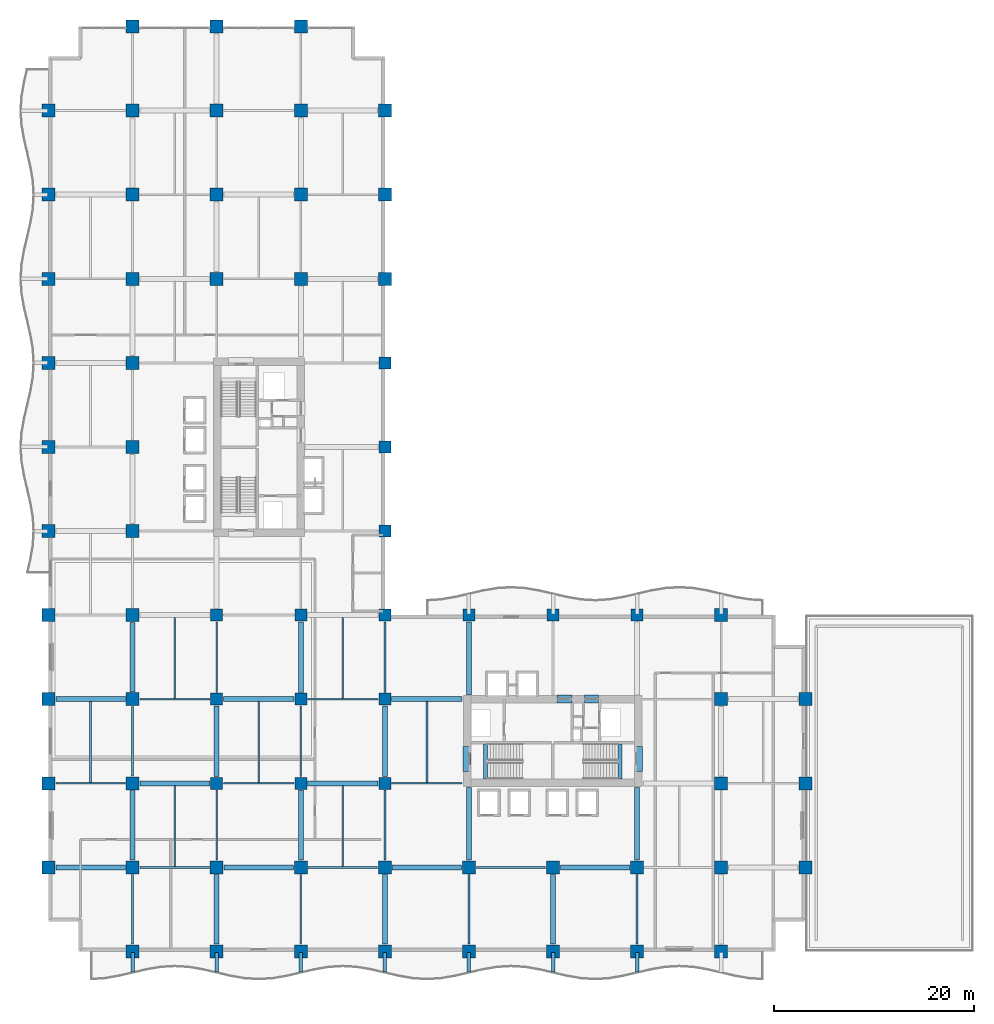
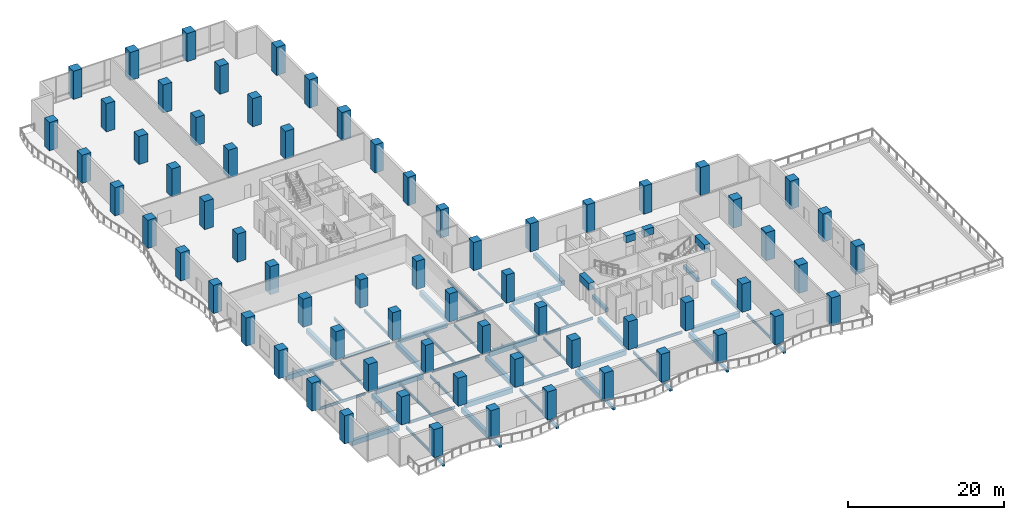
# One storey, part 1 of 21: 68 columns, 59 beams.
"""IFC4 building model written with IfcOpenShell, lengths in metres."""

from ifc_helpers import new_model, si_unit, direction, frame, origin, origin_2d, place, context, subcontext, project, spatial, rectangle, i_section, extrude, material, material_profile, profile_set, type_object, element, save


model = new_model("IFC4")

# Units and contexts
model_context = context("Model", 3, precision=1e-05, world=origin(), true_north=direction((0.0, 1.0)))
body_context = subcontext(model_context, "Body", "Model", "MODEL_VIEW")
ifc_project = project(units=[si_unit("LENGTHUNIT", "METRE"), si_unit("AREAUNIT", "SQUARE_METRE"), si_unit("VOLUMEUNIT", "CUBIC_METRE"), si_unit("PLANEANGLEUNIT", "RADIAN"), si_unit("MASSUNIT", "GRAM", prefix="KILO")], contexts=[model_context])

# Site, building, storey
site_placement = place(None, origin())
site = spatial("IfcSite", under=ifc_project, at=site_placement, CompositionType="ELEMENT")
building_placement = place(site_placement, origin())
building = spatial("IfcBuilding", under=site, at=building_placement, Name="Koriwani Terraces Tower", CompositionType="ELEMENT")
storey_placement = place(building_placement, frame((0.0, 0.0, 85.199951171875)))
storey = spatial("IfcBuildingStorey", under=building, at=storey_placement, Name="L20", CompositionType="ELEMENT", Elevation=85.199951171875)

# Columns
ifc_material_1 = material(Name="Concrete C60/75", Category="concrete")
ifc_material_profile_1 = material_profile(ifc_material_1, rectangle(XDim=1.199951171875, YDim=1.199951171875, at=origin_2d()), Name="Concrete C60/75", Category="LoadBearing")
ifc_profile_set_1 = profile_set([ifc_material_profile_1], Name="Concrete C60/75")
column_type_1 = type_object("IfcColumnType", Name="COL_RC_1200X1200", PredefinedType="COLUMN", material=ifc_profile_set_1)
for number, where, z_axis, x_axis, name in (
    (1, (16.800048828125, 16.800048828125, 0.0), (0.0, 0.0, 1.0), (1.0, 0.0, 0.0), "L20 Column 3/C"),
    (2, (16.800048828125, 25.199951171875, 0.0), (0.0, 0.0, 1.0), (1.0, 0.0, 0.0), "L20 Column 3/D"),
    (3, (16.800048828125, 33.60009765625, 0.0), (0.0, 0.0, 1.0), (1.0, 0.0, 0.0), "L20 Column 3/E"),
    (4, (25.199951171875, 16.800048828125, 0.0), (0.0, 0.0, 1.0), (1.0, 0.0, 0.0), "L20 Column 4/C"),
    (5, (25.199951171875, 25.199951171875, 0.0), (0.0, 0.0, 1.0), (1.0, 0.0, 0.0), "L20 Column 4/D"),
    (6, (25.199951171875, 33.60009765625, 0.0), (0.0, 0.0, 1.0), (1.0, 0.0, 0.0), "L20 Column 4/E"),
    (7, (33.60009765625, 16.800048828125, 0.0), (0.0, 0.0, 1.0), (1.0, 0.0, 0.0), "L20 Column 5/C"),
    (8, (33.60009765625, 25.199951171875, 0.0), (0.0, 0.0, 1.0), (1.0, 0.0, 0.0), "L20 Column 5/D"),
    (9, (33.60009765625, 33.60009765625, 0.0), (0.0, 0.0, 1.0), (1.0, 0.0, 0.0), "L20 Column 5/E"),
    (10, (33.60009765625, 42.0, 0.0), (0.0, 0.0, 1.0), (1.0, 0.0, 0.0), "L20 Column 5/F"),
    (11, (33.60009765625, 50.39990234375, 0.0), (0.0, 0.0, 1.0), (1.0, 0.0, 0.0), "L20 Column 5/G"),
    (12, (33.60009765625, 58.800048828125, 0.0), (0.0, 0.0, 1.0), (1.0, 0.0, 0.0), "L20 Column 5/H"),
    (13, (42.0, 33.60009765625, 0.0), (0.0, 0.0, 1.0), (1.0, 0.0, 0.0), "L20 Column 6/E"),
    (14, (50.39990234375, 33.60009765625, 0.0), (0.0, 0.0, 1.0), (1.0, 0.0, 0.0), "L20 Column 7/E"),
    (15, (58.800048828125, 33.60009765625, 0.0), (0.0, 0.0, 1.0), (1.0, 0.0, 0.0), "L20 Column 8/E"),
):
    element("IfcColumn", number, at=place(storey_placement, frame(where, z_axis=z_axis, x_axis=x_axis)), inside=storey, type_object=column_type_1, Name=name, PredefinedType="COLUMN", context=body_context, shape_type="SweptSolid", body=[
        extrude(rectangle(XDim=1.199951171875, YDim=1.199951171875, at=origin_2d()), origin(), (0.0, 0.0, 1.0), 4.400146484375),
    ])
ifc_material_profile_2 = material_profile(ifc_material_1, rectangle(XDim=1.300048828125, YDim=1.300048828125, at=origin_2d()), Name="Concrete C60/75", Category="LoadBearing")
ifc_profile_set_2 = profile_set([ifc_material_profile_2], Name="Concrete C60/75")
column_type_2 = type_object("IfcColumnType", Name="COL_RC_1300X1300", PredefinedType="COLUMN", material=ifc_profile_set_2)
for number, where, z_axis, x_axis, name in (
    (16, (0.0, 8.39990234375, 0.0), (0.0, 0.0, 1.0), (1.0, 0.0, 0.0), "L20 Column 1/B"),
    (17, (0.0, 16.800048828125, 0.0), (0.0, 0.0, 1.0), (1.0, 0.0, 0.0), "L20 Column 1/C"),
    (18, (0.0, 25.199951171875, 0.0), (0.0, 0.0, 1.0), (1.0, 0.0, 0.0), "L20 Column 1/D"),
    (19, (0.0, 33.60009765625, 0.0), (0.0, 0.0, 1.0), (1.0, 0.0, 0.0), "L20 Column 1/E"),
    (20, (0.0, 42.0, 0.0), (0.0, 0.0, 1.0), (1.0, 0.0, 0.0), "L20 Column 1/F"),
    (21, (0.0, 50.39990234375, 0.0), (0.0, 0.0, 1.0), (1.0, 0.0, 0.0), "L20 Column 1/G"),
    (22, (0.0, 58.800048828125, 0.0), (0.0, 0.0, 1.0), (1.0, 0.0, 0.0), "L20 Column 1/H"),
    (23, (0.0, 67.199951171875, 0.0), (0.0, 0.0, 1.0), (1.0, 0.0, 0.0), "L20 Column 1/I"),
    (24, (0.0, 75.60009765625, 0.0), (0.0, 0.0, 1.0), (1.0, 0.0, 0.0), "L20 Column 1/J"),
    (25, (0.0, 84.0, 0.0), (0.0, 0.0, 1.0), (1.0, 0.0, 0.0), "L20 Column 1/K"),
    (26, (8.39990234375, 0.0, 0.0), (0.0, 0.0, 1.0), (1.0, 0.0, 0.0), "L20 Column 2/A"),
    (27, (8.39990234375, 8.39990234375, 0.0), (0.0, 0.0, 1.0), (1.0, 0.0, 0.0), "L20 Column 2/B"),
    (28, (8.39990234375, 16.800048828125, 0.0), (0.0, 0.0, 1.0), (1.0, 0.0, 0.0), "L20 Column 2/C"),
    (29, (8.39990234375, 25.199951171875, 0.0), (0.0, 0.0, 1.0), (1.0, 0.0, 0.0), "L20 Column 2/D"),
    (30, (8.39990234375, 33.60009765625, 0.0), (0.0, 0.0, 1.0), (1.0, 0.0, 0.0), "L20 Column 2/E"),
    (31, (8.39990234375, 42.0, 0.0), (0.0, 0.0, 1.0), (1.0, 0.0, 0.0), "L20 Column 2/F"),
    (32, (8.39990234375, 50.39990234375, 0.0), (0.0, 0.0, 1.0), (1.0, 0.0, 0.0), "L20 Column 2/G"),
    (33, (8.39990234375, 58.800048828125, 0.0), (0.0, 0.0, 1.0), (1.0, 0.0, 0.0), "L20 Column 2/H"),
    (34, (8.39990234375, 67.199951171875, 0.0), (0.0, 0.0, 1.0), (1.0, 0.0, 0.0), "L20 Column 2/I"),
    (35, (8.39990234375, 75.60009765625, 0.0), (0.0, 0.0, 1.0), (1.0, 0.0, 0.0), "L20 Column 2/J"),
    (36, (8.39990234375, 84.0, 0.0), (0.0, 0.0, 1.0), (1.0, 0.0, 0.0), "L20 Column 2/K"),
    (37, (8.39990234375, 92.39990234375, 0.0), (0.0, 0.0, 1.0), (1.0, 0.0, 0.0), "L20 Column 2/L"),
    (38, (16.800048828125, 0.0, 0.0), (0.0, 0.0, 1.0), (1.0, 0.0, 0.0), "L20 Column 3/A"),
    (39, (16.800048828125, 8.39990234375, 0.0), (0.0, 0.0, 1.0), (1.0, 0.0, 0.0), "L20 Column 3/B"),
    (40, (16.800048828125, 67.199951171875, 0.0), (0.0, 0.0, 1.0), (1.0, 0.0, 0.0), "L20 Column 3/I"),
    (41, (16.800048828125, 75.60009765625, 0.0), (0.0, 0.0, 1.0), (1.0, 0.0, 0.0), "L20 Column 3/J"),
    (42, (16.800048828125, 84.0, 0.0), (0.0, 0.0, 1.0), (1.0, 0.0, 0.0), "L20 Column 3/K"),
    (43, (16.800048828125, 92.39990234375, 0.0), (0.0, 0.0, 1.0), (1.0, 0.0, 0.0), "L20 Column 3/L"),
    (44, (25.199951171875, 0.0, 0.0), (0.0, 0.0, 1.0), (1.0, 0.0, 0.0), "L20 Column 4/A"),
    (45, (25.199951171875, 8.39990234375, 0.0), (0.0, 0.0, 1.0), (1.0, 0.0, 0.0), "L20 Column 4/B"),
    (46, (25.199951171875, 67.199951171875, 0.0), (0.0, 0.0, 1.0), (1.0, 0.0, 0.0), "L20 Column 4/I"),
    (47, (25.199951171875, 75.60009765625, 0.0), (0.0, 0.0, 1.0), (1.0, 0.0, 0.0), "L20 Column 4/J"),
    (48, (25.199951171875, 84.0, 0.0), (0.0, 0.0, 1.0), (1.0, 0.0, 0.0), "L20 Column 4/K"),
    (49, (25.199951171875, 92.39990234375, 0.0), (0.0, 0.0, 1.0), (1.0, 0.0, 0.0), "L20 Column 4/L"),
    (50, (33.60009765625, 0.0, 0.0), (0.0, 0.0, 1.0), (1.0, 0.0, 0.0), "L20 Column 5/A"),
    (51, (33.60009765625, 8.39990234375, 0.0), (0.0, 0.0, 1.0), (1.0, 0.0, 0.0), "L20 Column 5/B"),
    (52, (33.60009765625, 67.199951171875, 0.0), (0.0, 0.0, 1.0), (1.0, 0.0, 0.0), "L20 Column 5/I"),
    (53, (33.60009765625, 75.60009765625, 0.0), (0.0, 0.0, 1.0), (1.0, 0.0, 0.0), "L20 Column 5/J"),
    (54, (33.60009765625, 84.0, 0.0), (0.0, 0.0, 1.0), (1.0, 0.0, 0.0), "L20 Column 5/K"),
    (55, (42.0, 0.0, 0.0), (0.0, 0.0, 1.0), (1.0, 0.0, 0.0), "L20 Column 6/A"),
    (56, (42.0, 8.39990234375, 0.0), (0.0, 0.0, 1.0), (1.0, 0.0, 0.0), "L20 Column 6/B"),
    (57, (50.39990234375, 0.0, 0.0), (0.0, 0.0, 1.0), (1.0, 0.0, 0.0), "L20 Column 7/A"),
    (58, (50.39990234375, 8.39990234375, 0.0), (0.0, 0.0, 1.0), (1.0, 0.0, 0.0), "L20 Column 7/B"),
    (59, (58.800048828125, 0.0, 0.0), (0.0, 0.0, 1.0), (1.0, 0.0, 0.0), "L20 Column 8/A"),
    (60, (58.800048828125, 8.39990234375, 0.0), (0.0, 0.0, 1.0), (1.0, 0.0, 0.0), "L20 Column 8/B"),
    (61, (67.199951171875, 0.0, 0.0), (0.0, 0.0, 1.0), (1.0, 0.0, 0.0), "L20 Column 9/A"),
    (62, (67.199951171875, 8.39990234375, 0.0), (0.0, 0.0, 1.0), (1.0, 0.0, 0.0), "L20 Column 9/B"),
    (63, (67.199951171875, 16.800048828125, 0.0), (0.0, 0.0, 1.0), (1.0, 0.0, 0.0), "L20 Column 9/C"),
    (64, (67.199951171875, 25.199951171875, 0.0), (0.0, 0.0, 1.0), (1.0, 0.0, 0.0), "L20 Column 9/D"),
    (65, (67.199951171875, 33.60009765625, 0.0), (0.0, 0.0, 1.0), (1.0, 0.0, 0.0), "L20 Column 9/E"),
    (66, (75.60009765625, 8.39990234375, 0.0), (0.0, 0.0, 1.0), (1.0, 0.0, 0.0), "L20 Column 10/B"),
    (67, (75.60009765625, 16.800048828125, 0.0), (0.0, 0.0, 1.0), (1.0, 0.0, 0.0), "L20 Column 10/C"),
    (68, (75.60009765625, 25.199951171875, 0.0), (0.0, 0.0, 1.0), (1.0, 0.0, 0.0), "L20 Column 10/D"),
):
    element("IfcColumn", number, at=place(storey_placement, frame(where, z_axis=z_axis, x_axis=x_axis)), inside=storey, type_object=column_type_2, Name=name, PredefinedType="COLUMN", context=body_context, shape_type="SweptSolid", body=[
        extrude(rectangle(XDim=1.300048828125, YDim=1.300048828125, at=origin_2d()), origin(), (0.0, 0.0, 1.0), 4.400146484375),
    ])

# Beams
ifc_material_2 = material(Name="Concrete C40/50", Category="concrete")
ifc_material_profile_3 = material_profile(ifc_material_2, rectangle(XDim=0.35009765625, YDim=0.449951171875, at=origin_2d()), Name="Concrete C40/50", Category="LoadBearing")
ifc_profile_set_3 = profile_set([ifc_material_profile_3], Name="Concrete C40/50")
beam_type_1 = type_object("IfcBeamType", Name="BEAM_RC_BALCONY_RIB_350X450", PredefinedType="JOIST", material=ifc_profile_set_3)
for number, where, z_axis, x_axis, name in (
    (69, (8.39990234375, -2.050048828125, -0.474853515625), (0.0, 1.0, 0.0), (-1.0, 0.0, 0.0), "L20 Balcony Bracket Rib S-1"),
    (70, (16.800048828125, -2.050048828125, -0.474853515625), (0.0, 1.0, 0.0), (-1.0, 0.0, 0.0), "L20 Balcony Bracket Rib S-2"),
    (71, (25.199951171875, -2.050048828125, -0.474853515625), (0.0, 1.0, 0.0), (-1.0, 0.0, 0.0), "L20 Balcony Bracket Rib S-3"),
    (72, (33.60009765625, -2.050048828125, -0.474853515625), (0.0, 1.0, 0.0), (-1.0, 0.0, 0.0), "L20 Balcony Bracket Rib S-4"),
    (73, (42.0, -2.050048828125, -0.474853515625), (0.0, 1.0, 0.0), (-1.0, 0.0, 0.0), "L20 Balcony Bracket Rib S-5"),
    (74, (50.39990234375, -2.050048828125, -0.474853515625), (0.0, 1.0, 0.0), (-1.0, 0.0, 0.0), "L20 Balcony Bracket Rib S-6"),
    (75, (58.800048828125, -2.050048828125, -0.474853515625), (0.0, 1.0, 0.0), (-1.0, 0.0, 0.0), "L20 Balcony Bracket Rib S-7"),
):
    element("IfcBeam", number, at=place(storey_placement, frame(where, z_axis=z_axis, x_axis=x_axis)), inside=storey, type_object=beam_type_1, Name=name, PredefinedType="JOIST", context=body_context, shape_type="SweptSolid", body=[
        extrude(rectangle(XDim=0.35009765625, YDim=0.449951171875, at=origin_2d()), origin(), (0.0, 0.0, 1.0), 1.949951171875),
    ])
ifc_material_profile_4 = material_profile(ifc_material_1, rectangle(XDim=0.800048828125, YDim=1.10009765625, at=origin_2d()), Name="Concrete C60/75", Category="LoadBearing")
ifc_profile_set_4 = profile_set([ifc_material_profile_4], Name="Concrete C60/75")
beam_type_2 = type_object("IfcBeamType", Name="BEAM_RC_COUPLING_800X1100", PredefinedType="LINTEL", material=ifc_profile_set_4)
beam_1_placement = place(storey_placement, frame((50.800048828125, 25.199951171875, 3.60009765625), z_axis=(1.0, 0.0, 0.0), x_axis=(0.0, 1.0, 0.0)))
element("IfcBeam", 76, at=beam_1_placement, inside=storey, type_object=beam_type_2, Name="L20 Core Coupling Lintel Beam EN1", PredefinedType="LINTEL", context=body_context, shape_type="SweptSolid", body=[
    extrude(rectangle(XDim=0.800048828125, YDim=1.10009765625, at=origin_2d()), origin(), (0.0, 0.0, 1.0), 1.47998046875),
])
beam_2_placement = place(storey_placement, frame((53.550048828125, 25.199951171875, 3.60009765625), z_axis=(1.0, 0.0, 0.0), x_axis=(0.0, 1.0, 0.0)))
element("IfcBeam", 77, at=beam_2_placement, inside=storey, type_object=beam_type_2, Name="L20 Core Coupling Lintel Beam EN2", PredefinedType="LINTEL", context=body_context, shape_type="SweptSolid", body=[
    extrude(rectangle(XDim=0.800048828125, YDim=1.10009765625, at=origin_2d()), origin(), (0.0, 0.0, 1.0), 1.39990234375),
])
for number, where, z_axis, x_axis, name in (
    (78, (41.824951171875, 18.0, 3.60009765625), (0.0, 1.0, 0.0), (-1.0, 0.0, 0.0), "L20 Core Coupling Lintel Beam EW"),
    (79, (58.925048828125, 18.0, 3.60009765625), (0.0, 1.0, 0.0), (-1.0, 0.0, 0.0), "L20 Core Coupling Lintel Beam EE"),
):
    element("IfcBeam", number, at=place(storey_placement, frame(where, z_axis=z_axis, x_axis=x_axis)), inside=storey, type_object=beam_type_2, Name=name, PredefinedType="LINTEL", context=body_context, shape_type="SweptSolid", body=[
        extrude(rectangle(XDim=0.800048828125, YDim=1.10009765625, at=origin_2d()), origin(), (0.0, 0.0, 1.0), 2.5),
    ])
ifc_material_profile_5 = material_profile(ifc_material_2, rectangle(XDim=0.39990234375, YDim=0.60009765625, at=origin_2d()), Name="Concrete C40/50", Category="LoadBearing")
ifc_profile_set_5 = profile_set([ifc_material_profile_5], Name="Concrete C40/50")
beam_type_3 = type_object("IfcBeamType", Name="BEAM_RC_GRID_400X600", PredefinedType="BEAM", material=ifc_profile_set_5)
for number, where, z_axis, x_axis, name in (
    (80, (43.655029296875, 17.25, -0.300048828125), (0.0, 1.0, 0.0), (-1.0, 0.0, 0.0), "L20 Stairwell Header Trimmer Beam ST-E1"),
    (81, (57.094970703125, 17.25, -0.300048828125), (0.0, 1.0, 0.0), (-1.0, 0.0, 0.0), "L20 Stairwell Header Trimmer Beam ST-E2"),
):
    element("IfcBeam", number, at=place(storey_placement, frame(where, z_axis=z_axis, x_axis=x_axis)), inside=storey, type_object=beam_type_3, Name=name, PredefinedType="BEAM", context=body_context, shape_type="SweptSolid", body=[
        extrude(rectangle(XDim=0.39990234375, YDim=0.60009765625, at=origin_2d()), origin(), (0.0, 0.0, 1.0), 3.5),
    ])
ifc_material_3 = material(Name="Concrete C50/60", Category="concrete")
ifc_material_profile_6 = material_profile(ifc_material_3, rectangle(XDim=0.5, YDim=0.75, at=origin_2d()), Name="Concrete C50/60", Category="LoadBearing")
ifc_profile_set_6 = profile_set([ifc_material_profile_6], Name="Concrete C50/60")
beam_type_4 = type_object("IfcBeamType", Name="BEAM_RC_GRID_500X750", PredefinedType="BEAM", material=ifc_profile_set_6)
for number, where, z_axis, x_axis, name in (
    (82, (0.72998046875, 8.39990234375, -0.625), (1.0, 0.0, 0.0), (0.0, 1.0, 0.0), "L20 Grid Beam B (0.0-8.4m)"),
    (83, (17.530029296875, 8.39990234375, -0.625), (1.0, 0.0, 0.0), (0.0, 1.0, 0.0), "L20 Grid Beam B (16.8-25.2m)"),
    (84, (34.330078125, 8.39990234375, -0.625), (1.0, 0.0, 0.0), (0.0, 1.0, 0.0), "L20 Grid Beam B (33.6-42.0m)"),
):
    element("IfcBeam", number, at=place(storey_placement, frame(where, z_axis=z_axis, x_axis=x_axis)), inside=storey, type_object=beam_type_4, Name=name, PredefinedType="BEAM", context=body_context, shape_type="SweptSolid", body=[
        extrude(rectangle(XDim=0.5, YDim=0.75, at=origin_2d()), origin(), (0.0, 0.0, 1.0), 6.93994140625),
    ])
beam_3_placement = place(storey_placement, frame((51.1298828125, 8.39990234375, -0.625), z_axis=(1.0, 0.0, 0.0), x_axis=(0.0, 1.0, 0.0)))
element("IfcBeam", 85, at=beam_3_placement, inside=storey, type_object=beam_type_4, Name="L20 Grid Beam B (50.4-58.8m)", PredefinedType="BEAM", context=body_context, shape_type="SweptSolid", body=[
    extrude(rectangle(XDim=0.5, YDim=0.75, at=origin_2d()), origin(), (0.0, 0.0, 1.0), 6.940185546875),
])
beam_4_placement = place(storey_placement, frame((9.1298828125, 16.800048828125, -0.625), z_axis=(1.0, 0.0, 0.0), x_axis=(0.0, 1.0, 0.0)))
element("IfcBeam", 86, at=beam_4_placement, inside=storey, type_object=beam_type_4, Name="L20 Grid Beam C (8.4-16.8m)", PredefinedType="BEAM", context=body_context, shape_type="SweptSolid", body=[
    extrude(rectangle(XDim=0.5, YDim=0.75, at=origin_2d()), origin(), (0.0, 0.0, 1.0), 6.990234375),
])
beam_5_placement = place(storey_placement, frame((25.8798828125, 16.800048828125, -0.625), z_axis=(1.0, 0.0, 0.0), x_axis=(0.0, 1.0, 0.0)))
element("IfcBeam", 87, at=beam_5_placement, inside=storey, type_object=beam_type_4, Name="L20 Grid Beam C (25.2-33.6m)", PredefinedType="BEAM", context=body_context, shape_type="SweptSolid", body=[
    extrude(rectangle(XDim=0.5, YDim=0.75, at=origin_2d()), origin(), (0.0, 0.0, 1.0), 7.0400390625),
])
beam_6_placement = place(storey_placement, frame((0.72998046875, 25.199951171875, -0.625), z_axis=(1.0, 0.0, 0.0), x_axis=(0.0, 1.0, 0.0)))
element("IfcBeam", 88, at=beam_6_placement, inside=storey, type_object=beam_type_4, Name="L20 Grid Beam D (0.0-8.4m)", PredefinedType="BEAM", context=body_context, shape_type="SweptSolid", body=[
    extrude(rectangle(XDim=0.5, YDim=0.75, at=origin_2d()), origin(), (0.0, 0.0, 1.0), 6.93994140625),
])
for number, where, z_axis, x_axis, name in (
    (89, (17.47998046875, 25.199951171875, -0.625), (1.0, 0.0, 0.0), (0.0, 1.0, 0.0), "L20 Grid Beam D (16.8-25.2m)"),
    (90, (34.280029296875, 25.199951171875, -0.625), (1.0, 0.0, 0.0), (0.0, 1.0, 0.0), "L20 Grid Beam D (33.6-42.0m)"),
):
    element("IfcBeam", number, at=place(storey_placement, frame(where, z_axis=z_axis, x_axis=x_axis)), inside=storey, type_object=beam_type_4, Name=name, PredefinedType="BEAM", context=body_context, shape_type="SweptSolid", body=[
        extrude(rectangle(XDim=0.5, YDim=0.75, at=origin_2d()), origin(), (0.0, 0.0, 1.0), 7.0400390625),
    ])
for number, where, z_axis, x_axis, name in (
    (91, (8.39990234375, 9.1298828125, -0.625), (0.0, 1.0, 0.0), (-1.0, 0.0, 0.0), "L20 Grid Beam 2 (8.4-16.8m)"),
    (92, (8.39990234375, 25.929931640625, -0.625), (0.0, 1.0, 0.0), (-1.0, 0.0, 0.0), "L20 Grid Beam 2 (25.2-33.6m)"),
):
    element("IfcBeam", number, at=place(storey_placement, frame(where, z_axis=z_axis, x_axis=x_axis)), inside=storey, type_object=beam_type_4, Name=name, PredefinedType="BEAM", context=body_context, shape_type="SweptSolid", body=[
        extrude(rectangle(XDim=0.5, YDim=0.75, at=origin_2d()), origin(), (0.0, 0.0, 1.0), 6.940185546875),
    ])
beam_7_placement = place(storey_placement, frame((16.800048828125, 0.72998046875, -0.625), z_axis=(0.0, 1.0, 0.0), x_axis=(-1.0, 0.0, 0.0)))
element("IfcBeam", 93, at=beam_7_placement, inside=storey, type_object=beam_type_4, Name="L20 Grid Beam 3 (0.0-8.4m)", PredefinedType="BEAM", context=body_context, shape_type="SweptSolid", body=[
    extrude(rectangle(XDim=0.5, YDim=0.75, at=origin_2d()), origin(), (0.0, 0.0, 1.0), 6.93994140625),
])
beam_8_placement = place(storey_placement, frame((16.800048828125, 17.47998046875, -0.625), z_axis=(0.0, 1.0, 0.0), x_axis=(-1.0, 0.0, 0.0)))
element("IfcBeam", 94, at=beam_8_placement, inside=storey, type_object=beam_type_4, Name="L20 Grid Beam 3 (16.8-25.2m)", PredefinedType="BEAM", context=body_context, shape_type="SweptSolid", body=[
    extrude(rectangle(XDim=0.5, YDim=0.75, at=origin_2d()), origin(), (0.0, 0.0, 1.0), 7.0400390625),
])
beam_9_placement = place(storey_placement, frame((25.199951171875, 9.1298828125, -0.625), z_axis=(0.0, 1.0, 0.0), x_axis=(-1.0, 0.0, 0.0)))
element("IfcBeam", 95, at=beam_9_placement, inside=storey, type_object=beam_type_4, Name="L20 Grid Beam 4 (8.4-16.8m)", PredefinedType="BEAM", context=body_context, shape_type="SweptSolid", body=[
    extrude(rectangle(XDim=0.5, YDim=0.75, at=origin_2d()), origin(), (0.0, 0.0, 1.0), 6.990234375),
])
beam_10_placement = place(storey_placement, frame((25.199951171875, 25.8798828125, -0.625), z_axis=(0.0, 1.0, 0.0), x_axis=(-1.0, 0.0, 0.0)))
element("IfcBeam", 96, at=beam_10_placement, inside=storey, type_object=beam_type_4, Name="L20 Grid Beam 4 (25.2-33.6m)", PredefinedType="BEAM", context=body_context, shape_type="SweptSolid", body=[
    extrude(rectangle(XDim=0.5, YDim=0.75, at=origin_2d()), origin(), (0.0, 0.0, 1.0), 7.0400390625),
])
beam_11_placement = place(storey_placement, frame((33.60009765625, 0.72998046875, -0.625), z_axis=(0.0, 1.0, 0.0), x_axis=(-1.0, 0.0, 0.0)))
element("IfcBeam", 97, at=beam_11_placement, inside=storey, type_object=beam_type_4, Name="L20 Grid Beam 5 (0.0-8.4m)", PredefinedType="BEAM", context=body_context, shape_type="SweptSolid", body=[
    extrude(rectangle(XDim=0.5, YDim=0.75, at=origin_2d()), origin(), (0.0, 0.0, 1.0), 6.93994140625),
])
beam_12_placement = place(storey_placement, frame((33.60009765625, 17.47998046875, -0.625), z_axis=(0.0, 1.0, 0.0), x_axis=(-1.0, 0.0, 0.0)))
element("IfcBeam", 98, at=beam_12_placement, inside=storey, type_object=beam_type_4, Name="L20 Grid Beam 5 (16.8-25.2m)", PredefinedType="BEAM", context=body_context, shape_type="SweptSolid", body=[
    extrude(rectangle(XDim=0.5, YDim=0.75, at=origin_2d()), origin(), (0.0, 0.0, 1.0), 7.0400390625),
])
beam_13_placement = place(storey_placement, frame((42.0, 9.1298828125, -0.625), z_axis=(0.0, 1.0, 0.0), x_axis=(-1.0, 0.0, 0.0)))
element("IfcBeam", 99, at=beam_13_placement, inside=storey, type_object=beam_type_4, Name="L20 Grid Beam 6 (8.4-16.8m)", PredefinedType="BEAM", context=body_context, shape_type="SweptSolid", body=[
    extrude(rectangle(XDim=0.5, YDim=0.75, at=origin_2d()), origin(), (0.0, 0.0, 1.0), 7.240234375),
])
beam_14_placement = place(storey_placement, frame((42.0, 25.6298828125, -0.625), z_axis=(0.0, 1.0, 0.0), x_axis=(-1.0, 0.0, 0.0)))
element("IfcBeam", 100, at=beam_14_placement, inside=storey, type_object=beam_type_4, Name="L20 Grid Beam 6 (25.2-33.6m)", PredefinedType="BEAM", context=body_context, shape_type="SweptSolid", body=[
    extrude(rectangle(XDim=0.5, YDim=0.75, at=origin_2d()), origin(), (0.0, 0.0, 1.0), 7.2900390625),
])
beam_15_placement = place(storey_placement, frame((50.39990234375, 0.72998046875, -0.625), z_axis=(0.0, 1.0, 0.0), x_axis=(-1.0, 0.0, 0.0)))
element("IfcBeam", 101, at=beam_15_placement, inside=storey, type_object=beam_type_4, Name="L20 Grid Beam 7 (0.0-8.4m)", PredefinedType="BEAM", context=body_context, shape_type="SweptSolid", body=[
    extrude(rectangle(XDim=0.5, YDim=0.75, at=origin_2d()), origin(), (0.0, 0.0, 1.0), 6.93994140625),
])
beam_16_placement = place(storey_placement, frame((58.800048828125, 9.1298828125, -0.625), z_axis=(0.0, 1.0, 0.0), x_axis=(-1.0, 0.0, 0.0)))
element("IfcBeam", 102, at=beam_16_placement, inside=storey, type_object=beam_type_4, Name="L20 Grid Beam 8 (8.4-16.8m)", PredefinedType="BEAM", context=body_context, shape_type="SweptSolid", body=[
    extrude(rectangle(XDim=0.5, YDim=0.75, at=origin_2d()), origin(), (0.0, 0.0, 1.0), 7.240234375),
])
ifc_material_4 = material(Name="Steel ASTM A572 Grade 50", Category="steel")
ifc_material_profile_7 = material_profile(ifc_material_4, i_section(OverallWidth=0.180908203125, OverallDepth=0.4169921875, WebThickness=0.010986328125, FlangeThickness=0.018310546875, at=origin_2d()), Name="Steel ASTM A572 Grade 50", Category="LoadBearing")
ifc_profile_set_7 = profile_set([ifc_material_profile_7], Name="Steel ASTM A572 Grade 50")
beam_type_5 = type_object("IfcBeamType", Name="STEEL_BEAM_W410X85", PredefinedType="JOIST", material=ifc_profile_set_7)
for number, where, z_axis, x_axis, name in (
    (103, (9.1298828125, 8.39990234375, -0.45849609375), (1.0, 0.0, 0.0), (0.0, 1.0, 0.0), "L20 Grid Beam B (8.4-16.8m)"),
    (104, (25.929931640625, 8.39990234375, -0.45849609375), (1.0, 0.0, 0.0), (0.0, 1.0, 0.0), "L20 Grid Beam B (25.2-33.6m)"),
):
    element("IfcBeam", number, at=place(storey_placement, frame(where, z_axis=z_axis, x_axis=x_axis)), inside=storey, type_object=beam_type_5, Name=name, PredefinedType="JOIST", context=body_context, shape_type="SweptSolid", body=[
        extrude(i_section(OverallWidth=0.180908203125, OverallDepth=0.4169921875, WebThickness=0.010986328125, FlangeThickness=0.018310546875, at=origin_2d()), origin(), (0.0, 0.0, 1.0), 6.940185546875),
    ])
for number, where, z_axis, x_axis, name in (
    (105, (42.72998046875, 8.39990234375, -0.45849609375), (1.0, 0.0, 0.0), (0.0, 1.0, 0.0), "L20 Grid Beam B (42.0-50.4m)"),
    (106, (0.72998046875, 16.800048828125, -0.45849609375), (1.0, 0.0, 0.0), (0.0, 1.0, 0.0), "L20 Grid Beam C (0.0-8.4m)"),
):
    element("IfcBeam", number, at=place(storey_placement, frame(where, z_axis=z_axis, x_axis=x_axis)), inside=storey, type_object=beam_type_5, Name=name, PredefinedType="JOIST", context=body_context, shape_type="SweptSolid", body=[
        extrude(i_section(OverallWidth=0.180908203125, OverallDepth=0.4169921875, WebThickness=0.010986328125, FlangeThickness=0.018310546875, at=origin_2d()), origin(), (0.0, 0.0, 1.0), 6.93994140625),
    ])
for number, where, z_axis, x_axis, name in (
    (107, (17.47998046875, 16.800048828125, -0.45849609375), (1.0, 0.0, 0.0), (0.0, 1.0, 0.0), "L20 Grid Beam C (16.8-25.2m)"),
    (108, (34.280029296875, 16.800048828125, -0.45849609375), (1.0, 0.0, 0.0), (0.0, 1.0, 0.0), "L20 Grid Beam C (33.6-42.0m)"),
):
    element("IfcBeam", number, at=place(storey_placement, frame(where, z_axis=z_axis, x_axis=x_axis)), inside=storey, type_object=beam_type_5, Name=name, PredefinedType="JOIST", context=body_context, shape_type="SweptSolid", body=[
        extrude(i_section(OverallWidth=0.180908203125, OverallDepth=0.4169921875, WebThickness=0.010986328125, FlangeThickness=0.018310546875, at=origin_2d()), origin(), (0.0, 0.0, 1.0), 7.0400390625),
    ])
beam_17_placement = place(storey_placement, frame((9.1298828125, 25.199951171875, -0.45849609375), z_axis=(1.0, 0.0, 0.0), x_axis=(0.0, 1.0, 0.0)))
element("IfcBeam", 109, at=beam_17_placement, inside=storey, type_object=beam_type_5, Name="L20 Grid Beam D (8.4-16.8m)", PredefinedType="JOIST", context=body_context, shape_type="SweptSolid", body=[
    extrude(i_section(OverallWidth=0.180908203125, OverallDepth=0.4169921875, WebThickness=0.010986328125, FlangeThickness=0.018310546875, at=origin_2d()), origin(), (0.0, 0.0, 1.0), 6.990234375),
])
beam_18_placement = place(storey_placement, frame((25.8798828125, 25.199951171875, -0.45849609375), z_axis=(1.0, 0.0, 0.0), x_axis=(0.0, 1.0, 0.0)))
element("IfcBeam", 110, at=beam_18_placement, inside=storey, type_object=beam_type_5, Name="L20 Grid Beam D (25.2-33.6m)", PredefinedType="JOIST", context=body_context, shape_type="SweptSolid", body=[
    extrude(i_section(OverallWidth=0.180908203125, OverallDepth=0.4169921875, WebThickness=0.010986328125, FlangeThickness=0.018310546875, at=origin_2d()), origin(), (0.0, 0.0, 1.0), 7.0400390625),
])
for number, where, z_axis, x_axis, name in (
    (111, (8.39990234375, 0.72998046875, -0.45849609375), (0.0, 1.0, 0.0), (-1.0, 0.0, 0.0), "L20 Grid Beam 2 (0.0-8.4m)"),
    (112, (8.39990234375, 17.530029296875, -0.45849609375), (0.0, 1.0, 0.0), (-1.0, 0.0, 0.0), "L20 Grid Beam 2 (16.8-25.2m)"),
):
    element("IfcBeam", number, at=place(storey_placement, frame(where, z_axis=z_axis, x_axis=x_axis)), inside=storey, type_object=beam_type_5, Name=name, PredefinedType="JOIST", context=body_context, shape_type="SweptSolid", body=[
        extrude(i_section(OverallWidth=0.180908203125, OverallDepth=0.4169921875, WebThickness=0.010986328125, FlangeThickness=0.018310546875, at=origin_2d()), origin(), (0.0, 0.0, 1.0), 6.93994140625),
    ])
beam_19_placement = place(storey_placement, frame((16.800048828125, 9.1298828125, -0.45849609375), z_axis=(0.0, 1.0, 0.0), x_axis=(-1.0, 0.0, 0.0)))
element("IfcBeam", 113, at=beam_19_placement, inside=storey, type_object=beam_type_5, Name="L20 Grid Beam 3 (8.4-16.8m)", PredefinedType="JOIST", context=body_context, shape_type="SweptSolid", body=[
    extrude(i_section(OverallWidth=0.180908203125, OverallDepth=0.4169921875, WebThickness=0.010986328125, FlangeThickness=0.018310546875, at=origin_2d()), origin(), (0.0, 0.0, 1.0), 6.990234375),
])
beam_20_placement = place(storey_placement, frame((16.800048828125, 25.8798828125, -0.45849609375), z_axis=(0.0, 1.0, 0.0), x_axis=(-1.0, 0.0, 0.0)))
element("IfcBeam", 114, at=beam_20_placement, inside=storey, type_object=beam_type_5, Name="L20 Grid Beam 3 (25.2-33.6m)", PredefinedType="JOIST", context=body_context, shape_type="SweptSolid", body=[
    extrude(i_section(OverallWidth=0.180908203125, OverallDepth=0.4169921875, WebThickness=0.010986328125, FlangeThickness=0.018310546875, at=origin_2d()), origin(), (0.0, 0.0, 1.0), 7.0400390625),
])
beam_21_placement = place(storey_placement, frame((25.199951171875, 0.72998046875, -0.45849609375), z_axis=(0.0, 1.0, 0.0), x_axis=(-1.0, 0.0, 0.0)))
element("IfcBeam", 115, at=beam_21_placement, inside=storey, type_object=beam_type_5, Name="L20 Grid Beam 4 (0.0-8.4m)", PredefinedType="JOIST", context=body_context, shape_type="SweptSolid", body=[
    extrude(i_section(OverallWidth=0.180908203125, OverallDepth=0.4169921875, WebThickness=0.010986328125, FlangeThickness=0.018310546875, at=origin_2d()), origin(), (0.0, 0.0, 1.0), 6.93994140625),
])
beam_22_placement = place(storey_placement, frame((25.199951171875, 17.47998046875, -0.45849609375), z_axis=(0.0, 1.0, 0.0), x_axis=(-1.0, 0.0, 0.0)))
element("IfcBeam", 116, at=beam_22_placement, inside=storey, type_object=beam_type_5, Name="L20 Grid Beam 4 (16.8-25.2m)", PredefinedType="JOIST", context=body_context, shape_type="SweptSolid", body=[
    extrude(i_section(OverallWidth=0.180908203125, OverallDepth=0.4169921875, WebThickness=0.010986328125, FlangeThickness=0.018310546875, at=origin_2d()), origin(), (0.0, 0.0, 1.0), 7.0400390625),
])
beam_23_placement = place(storey_placement, frame((33.60009765625, 9.1298828125, -0.45849609375), z_axis=(0.0, 1.0, 0.0), x_axis=(-1.0, 0.0, 0.0)))
element("IfcBeam", 117, at=beam_23_placement, inside=storey, type_object=beam_type_5, Name="L20 Grid Beam 5 (8.4-16.8m)", PredefinedType="JOIST", context=body_context, shape_type="SweptSolid", body=[
    extrude(i_section(OverallWidth=0.180908203125, OverallDepth=0.4169921875, WebThickness=0.010986328125, FlangeThickness=0.018310546875, at=origin_2d()), origin(), (0.0, 0.0, 1.0), 6.990234375),
])
beam_24_placement = place(storey_placement, frame((33.60009765625, 25.8798828125, -0.45849609375), z_axis=(0.0, 1.0, 0.0), x_axis=(-1.0, 0.0, 0.0)))
element("IfcBeam", 118, at=beam_24_placement, inside=storey, type_object=beam_type_5, Name="L20 Grid Beam 5 (25.2-33.6m)", PredefinedType="JOIST", context=body_context, shape_type="SweptSolid", body=[
    extrude(i_section(OverallWidth=0.180908203125, OverallDepth=0.4169921875, WebThickness=0.010986328125, FlangeThickness=0.018310546875, at=origin_2d()), origin(), (0.0, 0.0, 1.0), 7.0400390625),
])
for number, where, z_axis, x_axis, name in (
    (119, (42.0, 0.72998046875, -0.45849609375), (0.0, 1.0, 0.0), (-1.0, 0.0, 0.0), "L20 Grid Beam 6 (0.0-8.4m)"),
    (120, (58.800048828125, 0.72998046875, -0.45849609375), (0.0, 1.0, 0.0), (-1.0, 0.0, 0.0), "L20 Grid Beam 8 (0.0-8.4m)"),
):
    element("IfcBeam", number, at=place(storey_placement, frame(where, z_axis=z_axis, x_axis=x_axis)), inside=storey, type_object=beam_type_5, Name=name, PredefinedType="JOIST", context=body_context, shape_type="SweptSolid", body=[
        extrude(i_section(OverallWidth=0.180908203125, OverallDepth=0.4169921875, WebThickness=0.010986328125, FlangeThickness=0.018310546875, at=origin_2d()), origin(), (0.0, 0.0, 1.0), 6.93994140625),
    ])
beam_25_placement = place(storey_placement, frame((4.199951171875, 16.880615234375, -0.45849609375), z_axis=(0.0, 1.0, 0.0), x_axis=(-1.0, 0.0, 0.0)))
element("IfcBeam", 121, at=beam_25_placement, inside=storey, type_object=beam_type_5, Name="L20 Secondary Steel Floor Joist X=4.2m", PredefinedType="JOIST", context=body_context, shape_type="SweptSolid", body=[
    extrude(i_section(OverallWidth=0.180908203125, OverallDepth=0.4169921875, WebThickness=0.010986328125, FlangeThickness=0.018310546875, at=origin_2d()), origin(), (0.0, 0.0, 1.0), 8.079345703125),
])
for number, where, z_axis, x_axis, name in (
    (122, (12.60009765625, 8.48046875, -0.45849609375), (0.0, 1.0, 0.0), (-1.0, 0.0, 0.0), "L20 Secondary Steel Floor Joist X=12.6m"),
    (123, (12.60009765625, 25.280517578125, -0.45849609375), (0.0, 1.0, 0.0), (-1.0, 0.0, 0.0), "L20 Secondary Steel Floor Joist X=12.6m"),
):
    element("IfcBeam", number, at=place(storey_placement, frame(where, z_axis=z_axis, x_axis=x_axis)), inside=storey, type_object=beam_type_5, Name=name, PredefinedType="JOIST", context=body_context, shape_type="SweptSolid", body=[
        extrude(i_section(OverallWidth=0.180908203125, OverallDepth=0.4169921875, WebThickness=0.010986328125, FlangeThickness=0.018310546875, at=origin_2d()), origin(), (0.0, 0.0, 1.0), 8.07958984375),
    ])
beam_26_placement = place(storey_placement, frame((21.0, 16.880615234375, -0.45849609375), z_axis=(0.0, 1.0, 0.0), x_axis=(-1.0, 0.0, 0.0)))
element("IfcBeam", 124, at=beam_26_placement, inside=storey, type_object=beam_type_5, Name="L20 Secondary Steel Floor Joist X=21.0m", PredefinedType="JOIST", context=body_context, shape_type="SweptSolid", body=[
    extrude(i_section(OverallWidth=0.180908203125, OverallDepth=0.4169921875, WebThickness=0.010986328125, FlangeThickness=0.018310546875, at=origin_2d()), origin(), (0.0, 0.0, 1.0), 8.079345703125),
])
for number, where, z_axis, x_axis, name in (
    (125, (29.39990234375, 8.48046875, -0.45849609375), (0.0, 1.0, 0.0), (-1.0, 0.0, 0.0), "L20 Secondary Steel Floor Joist X=29.4m"),
    (126, (29.39990234375, 25.280517578125, -0.45849609375), (0.0, 1.0, 0.0), (-1.0, 0.0, 0.0), "L20 Secondary Steel Floor Joist X=29.4m"),
):
    element("IfcBeam", number, at=place(storey_placement, frame(where, z_axis=z_axis, x_axis=x_axis)), inside=storey, type_object=beam_type_5, Name=name, PredefinedType="JOIST", context=body_context, shape_type="SweptSolid", body=[
        extrude(i_section(OverallWidth=0.180908203125, OverallDepth=0.4169921875, WebThickness=0.010986328125, FlangeThickness=0.018310546875, at=origin_2d()), origin(), (0.0, 0.0, 1.0), 8.07958984375),
    ])
beam_27_placement = place(storey_placement, frame((37.800048828125, 16.880615234375, -0.45849609375), z_axis=(0.0, 1.0, 0.0), x_axis=(-1.0, 0.0, 0.0)))
element("IfcBeam", 127, at=beam_27_placement, inside=storey, type_object=beam_type_5, Name="L20 Secondary Steel Floor Joist X=37.8m", PredefinedType="JOIST", context=body_context, shape_type="SweptSolid", body=[
    extrude(i_section(OverallWidth=0.180908203125, OverallDepth=0.4169921875, WebThickness=0.010986328125, FlangeThickness=0.018310546875, at=origin_2d()), origin(), (0.0, 0.0, 1.0), 8.079345703125),
])

save(model, "model.ifc")
